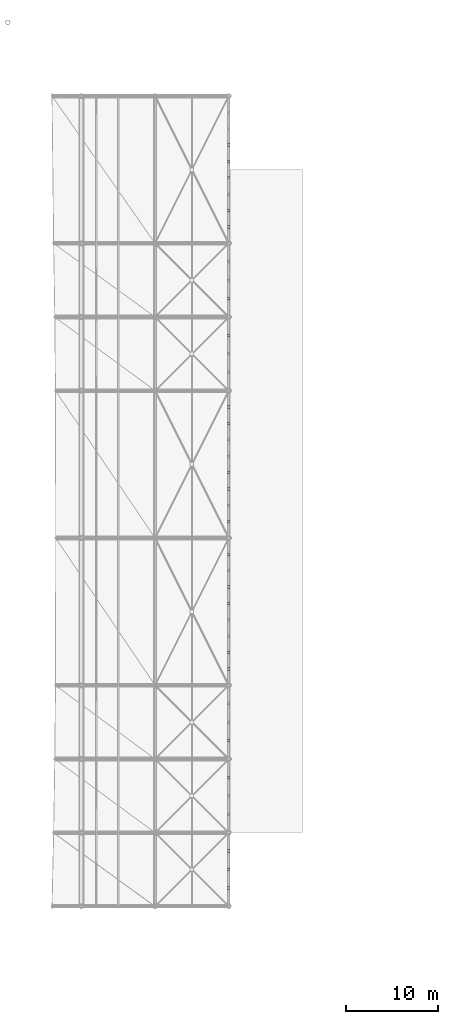
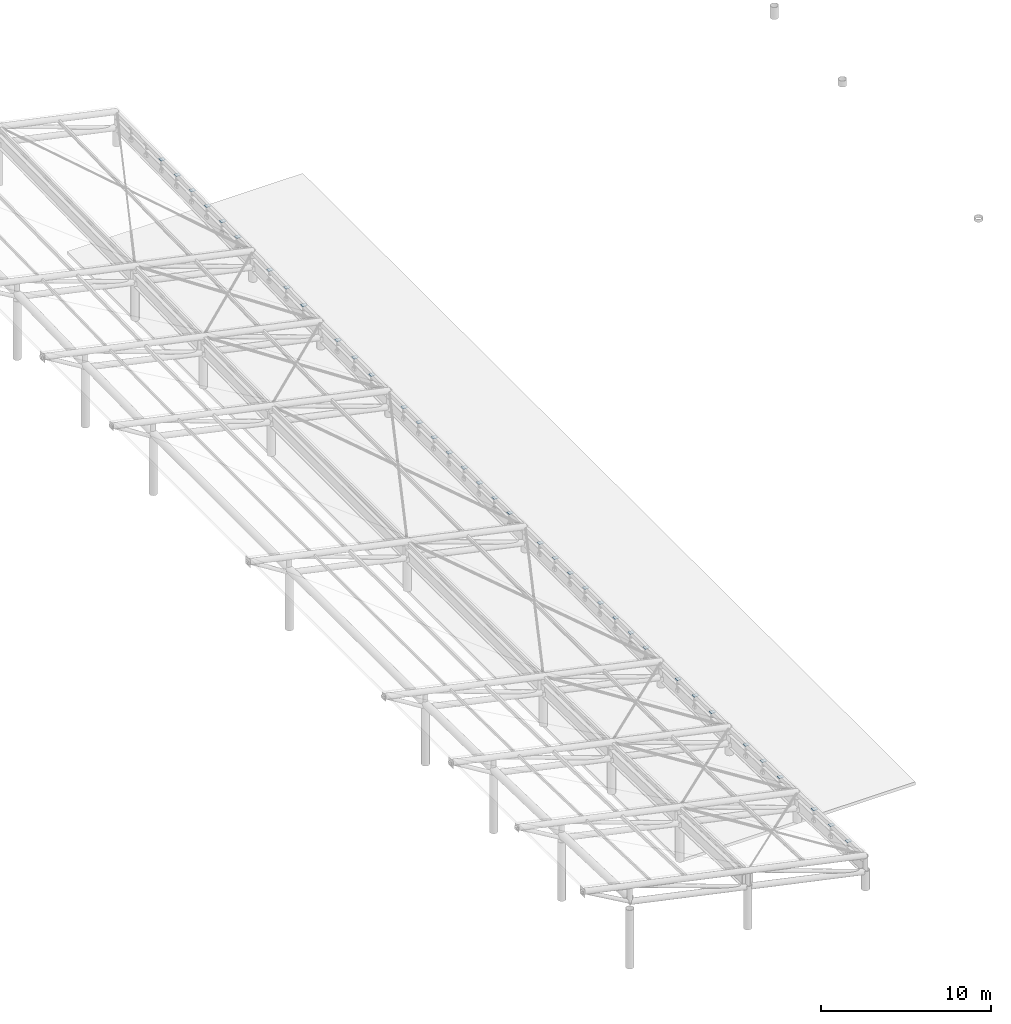
# One storey, part 32 of 41: 37 plates.
"""IFC4 building model written with IfcOpenShell, lengths in metres."""

from ifc_helpers import new_model, si_unit, direction, frame, origin, origin_2d, place, context, subcontext, project, spatial, rectangle, extrude, material, layer, layer_set, type_object, element, save


model = new_model("IFC4")

# Units and contexts
model_context = context("Model", 3, precision=1e-05, world=origin(), true_north=direction((0.0, 1.0)))
body_context = subcontext(model_context, "Body", "Model", "MODEL_VIEW")
ifc_project = project(units=[si_unit("LENGTHUNIT", "METRE"), si_unit("AREAUNIT", "SQUARE_METRE"), si_unit("VOLUMEUNIT", "CUBIC_METRE"), si_unit("PLANEANGLEUNIT", "RADIAN"), si_unit("MASSUNIT", "GRAM", prefix="KILO")], contexts=[model_context])

# Site, building, storey
site_placement = place(None, origin())
site = spatial("IfcSite", under=ifc_project, at=site_placement, CompositionType="ELEMENT")
building_placement = place(site_placement, origin())
building = spatial("IfcBuilding", under=site, at=building_placement, Name="Haebicheon Civic Stadium", CompositionType="ELEMENT")
storey_placement = place(building_placement, frame((0.0, 0.0, 27.0)))
storey = spatial("IfcBuildingStorey", under=building, at=storey_placement, Name="L07", CompositionType="ELEMENT", Elevation=27.0)

# Plates
ifc_material = material(Name="White painted steel SM490", Category="steel")
ifc_layer = layer(ifc_material, 0.013916015625, Name="White painted steel SM490")
ifc_layer_set = layer_set([ifc_layer], Name="White painted steel SM490")
plate_type = type_object("IfcPlateType", Name="PLT-CAP-14", PredefinedType="SHEET", material=ifc_layer_set)
for number, where, z_axis, x_axis, name in (
    (1, (152.0, 50.0, 2.2080078125), (0.0, 0.0, 1.0), (1.0, 0.0, 0.0), "CAN-EAST hanger clevis cap plate 1.1"),
    (2, (152.0, 52.0, 2.13623046875), (0.0, 0.0, 1.0), (1.0, 0.0, 0.0), "CAN-EAST hanger clevis cap plate 1.2"),
    (3, (152.0, 54.0, 2.06298828125), (0.0, 0.0, 1.0), (1.0, 0.0, 0.0), "CAN-EAST hanger clevis cap plate 1.3"),
    (4, (152.0, 58.0, 1.93896484375), (0.0, 0.0, 1.0), (1.0, 0.0, 0.0), "CAN-EAST hanger clevis cap plate 2.1"),
    (5, (152.0, 60.0, 1.88818359375), (0.0, 0.0, 1.0), (1.0, 0.0, 0.0), "CAN-EAST hanger clevis cap plate 2.2"),
    (6, (152.0, 62.0, 1.8369140625), (0.0, 0.0, 1.0), (1.0, 0.0, 0.0), "CAN-EAST hanger clevis cap plate 2.3"),
    (7, (152.0, 66.0, 1.75390625), (0.0, 0.0, 1.0), (1.0, 0.0, 0.0), "CAN-EAST hanger clevis cap plate 3.1"),
    (8, (152.0, 68.0, 1.72314453125), (0.0, 0.0, 1.0), (1.0, 0.0, 0.0), "CAN-EAST hanger clevis cap plate 3.2"),
    (9, (152.0, 70.0, 1.69189453125), (0.0, 0.0, 1.0), (1.0, 0.0, 0.0), "CAN-EAST hanger clevis cap plate 3.3"),
    (10, (152.0, 73.778076171875, 1.65625), (0.0, 0.0, 1.0), (1.0, 0.0, 0.0), "CAN-EAST hanger clevis cap plate 4.1"),
    (11, (152.0, 75.555908203125, 1.65185546875), (0.0, 0.0, 1.0), (1.0, 0.0, 0.0), "CAN-EAST hanger clevis cap plate 4.2"),
    (12, (152.0, 77.3330078125, 1.64697265625), (0.0, 0.0, 1.0), (1.0, 0.0, 0.0), "CAN-EAST hanger clevis cap plate 4.3"),
    (13, (152.0, 79.111083984375, 1.64306640625), (0.0, 0.0, 1.0), (1.0, 0.0, 0.0), "CAN-EAST hanger clevis cap plate 4.4"),
    (14, (152.0, 80.888916015625, 1.63818359375), (0.0, 0.0, 1.0), (1.0, 0.0, 0.0), "CAN-EAST hanger clevis cap plate 4.5"),
    (15, (152.0, 82.6669921875, 1.63427734375), (0.0, 0.0, 1.0), (1.0, 0.0, 0.0), "CAN-EAST hanger clevis cap plate 4.6"),
    (16, (152.0, 84.444091796875, 1.62890625), (0.0, 0.0, 1.0), (1.0, 0.0, 0.0), "CAN-EAST hanger clevis cap plate 4.7"),
    (17, (152.0, 86.221923828125, 1.625), (0.0, 0.0, 1.0), (1.0, 0.0, 0.0), "CAN-EAST hanger clevis cap plate 4.8"),
    (18, (152.0, 89.778076171875, 1.625), (0.0, 0.0, 1.0), (1.0, 0.0, 0.0), "CAN-EAST hanger clevis cap plate 5.1"),
    (19, (152.0, 91.555908203125, 1.62890625), (0.0, 0.0, 1.0), (1.0, 0.0, 0.0), "CAN-EAST hanger clevis cap plate 5.2"),
    (20, (152.0, 93.3330078125, 1.63427734375), (0.0, 0.0, 1.0), (1.0, 0.0, 0.0), "CAN-EAST hanger clevis cap plate 5.3"),
    (21, (152.0, 95.111083984375, 1.63818359375), (0.0, 0.0, 1.0), (1.0, 0.0, 0.0), "CAN-EAST hanger clevis cap plate 5.4"),
    (22, (152.0, 96.888916015625, 1.64306640625), (0.0, 0.0, 1.0), (1.0, 0.0, 0.0), "CAN-EAST hanger clevis cap plate 5.5"),
    (23, (152.0, 98.6669921875, 1.64697265625), (0.0, 0.0, 1.0), (1.0, 0.0, 0.0), "CAN-EAST hanger clevis cap plate 5.6"),
    (24, (152.0, 100.444091796875, 1.65185546875), (0.0, 0.0, 1.0), (1.0, 0.0, 0.0), "CAN-EAST hanger clevis cap plate 5.7"),
    (25, (152.0, 102.221923828125, 1.65625), (0.0, 0.0, 1.0), (1.0, 0.0, 0.0), "CAN-EAST hanger clevis cap plate 5.8"),
    (26, (152.0, 106.0, 1.69189453125), (0.0, 0.0, 1.0), (1.0, 0.0, 0.0), "CAN-EAST hanger clevis cap plate 6.1"),
    (27, (152.0, 108.0, 1.72314453125), (0.0, 0.0, 1.0), (1.0, 0.0, 0.0), "CAN-EAST hanger clevis cap plate 6.2"),
    (28, (152.0, 110.0, 1.75390625), (0.0, 0.0, 1.0), (1.0, 0.0, 0.0), "CAN-EAST hanger clevis cap plate 6.3"),
    (29, (152.0, 114.0, 1.8369140625), (0.0, 0.0, 1.0), (1.0, 0.0, 0.0), "CAN-EAST hanger clevis cap plate 7.1"),
    (30, (152.0, 116.0, 1.88818359375), (0.0, 0.0, 1.0), (1.0, 0.0, 0.0), "CAN-EAST hanger clevis cap plate 7.2"),
    (31, (152.0, 118.0, 1.93896484375), (0.0, 0.0, 1.0), (1.0, 0.0, 0.0), "CAN-EAST hanger clevis cap plate 7.3"),
    (32, (152.0, 121.778076171875, 2.02294921875), (0.0, 0.0, 1.0), (1.0, 0.0, 0.0), "CAN-EAST hanger clevis cap plate 8.1"),
    (33, (152.0, 123.555908203125, 2.05517578125), (0.0, 0.0, 1.0), (1.0, 0.0, 0.0), "CAN-EAST hanger clevis cap plate 8.2"),
    (34, (152.0, 125.3330078125, 2.0869140625), (0.0, 0.0, 1.0), (1.0, 0.0, 0.0), "CAN-EAST hanger clevis cap plate 8.3"),
    (35, (152.0, 127.111083984375, 2.119140625), (0.0, 0.0, 1.0), (1.0, 0.0, 0.0), "CAN-EAST hanger clevis cap plate 8.4"),
    (36, (152.0, 128.888916015625, 2.15185546875), (0.0, 0.0, 1.0), (1.0, 0.0, 0.0), "CAN-EAST hanger clevis cap plate 8.5"),
    (37, (152.0, 130.6669921875, 2.18408203125), (0.0, 0.0, 1.0), (1.0, 0.0, 0.0), "CAN-EAST hanger clevis cap plate 8.6"),
):
    element("IfcPlate", number, at=place(storey_placement, frame(where, z_axis=z_axis, x_axis=x_axis)), inside=storey, type_object=plate_type, material=ifc_layer_set, Name=name, PredefinedType="SHEET", context=body_context, shape_type="SweptSolid", body=[
        extrude(rectangle(XDim=0.300048828125, YDim=0.300048828125, at=origin_2d()), origin(), (0.0, 0.0, 1.0), 0.013916015625),
    ])

save(model, "model.ifc")
